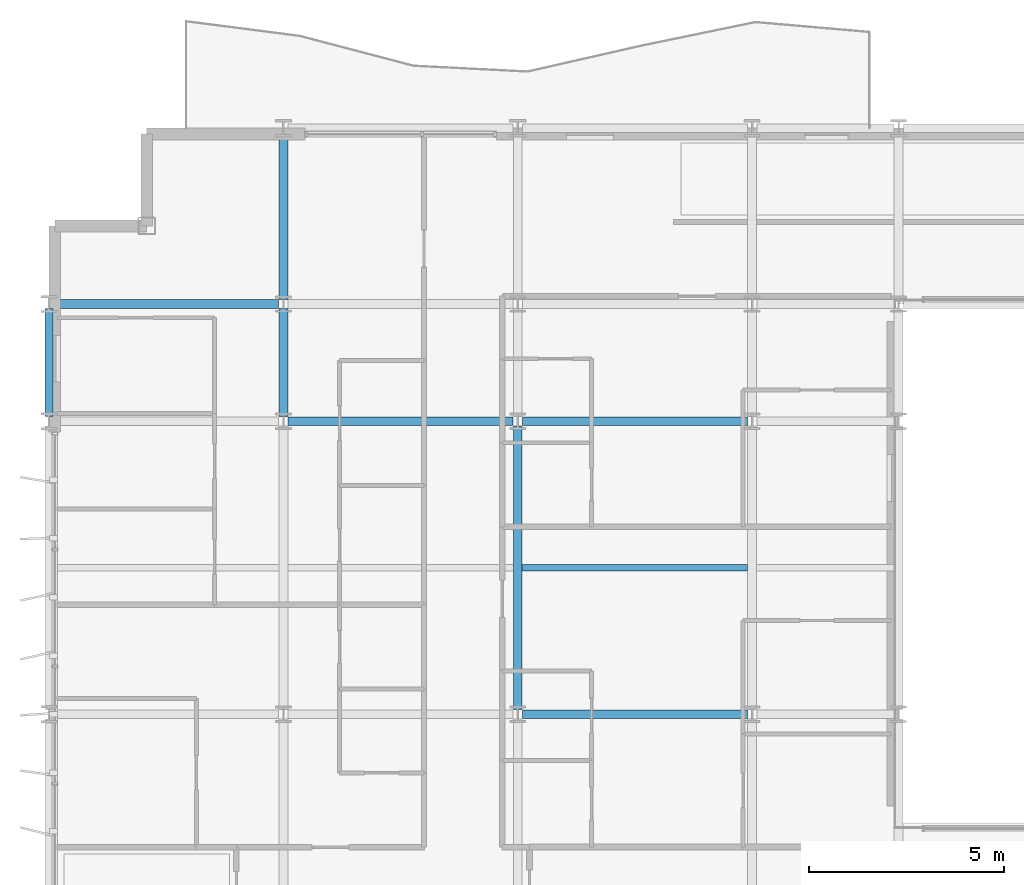
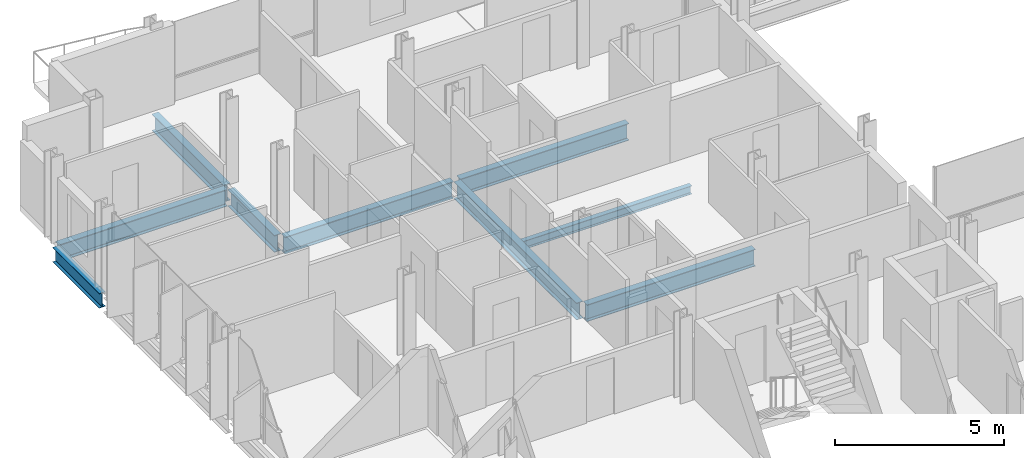
# One storey, part 6 of 38: 9 beams.
"""IFC4 building model written with IfcOpenShell, lengths in metres."""

from ifc_helpers import new_model, si_unit, direction, frame, origin, origin_2d, place, context, subcontext, project, spatial, i_section, extrude, material, material_profile, profile_set, type_object, element, save


model = new_model("IFC4")

# Units and contexts
model_context = context("Model", 3, precision=1e-05, world=origin(), true_north=direction((0.0, 1.0)))
body_context = subcontext(model_context, "Body", "Model", "MODEL_VIEW")
ifc_project = project(units=[si_unit("LENGTHUNIT", "METRE"), si_unit("AREAUNIT", "SQUARE_METRE"), si_unit("VOLUMEUNIT", "CUBIC_METRE"), si_unit("PLANEANGLEUNIT", "RADIAN"), si_unit("MASSUNIT", "GRAM", prefix="KILO")], contexts=[model_context])

# Site, building, storey
site_placement = place(None, origin())
site = spatial("IfcSite", under=ifc_project, at=site_placement, CompositionType="ELEMENT")
building_placement = place(site_placement, origin())
building = spatial("IfcBuilding", under=site, at=building_placement, Name="Brevholm Reach", CompositionType="ELEMENT")
storey_placement = place(building_placement, frame((0.0, 0.0, 128.300048828125)))
storey = spatial("IfcBuildingStorey", under=building, at=storey_placement, Name="L38", CompositionType="ELEMENT", Elevation=128.300048828125)

# Beams
ifc_material_1 = material(Name="Structural Steel S355J2", Category="steel")
ifc_material_profile_1 = material_profile(ifc_material_1, i_section(OverallWidth=0.1650390625, OverallDepth=0.303466796875, WebThickness=0.006103515625, FlangeThickness=0.01025390625, FilletRadius=0.0087890625, at=origin_2d()), Name="UKB 305x165x40")
ifc_profile_set_1 = profile_set([ifc_material_profile_1], Name="Structural Steel S355J2")
beam_type_1 = type_object("IfcBeamType", Name="BM-B305", PredefinedType="BEAM", material=ifc_profile_set_1)
beam_1_placement = place(storey_placement, frame((12.114501953125, 19.75, -0.371826171875), z_axis=(1.0, 0.0, 0.0), x_axis=(0.0, 1.0, 0.0)))
element("IfcBeam", 1, at=beam_1_placement, inside=storey, type_object=beam_type_1, Name="L38 Composite Secondary Floor Beam", PredefinedType="BEAM", context=body_context, shape_type="SweptSolid", body=[
    extrude(i_section(OverallWidth=0.1650390625, OverallDepth=0.303466796875, WebThickness=0.006103515625, FlangeThickness=0.01025390625, FilletRadius=0.0087890625, at=origin_2d()), origin(), (0.0, 0.0, 1.0), 5.77099609375),
])
ifc_material_2 = material(Name="Structural Steel S355J2", Category="steel")
ifc_material_profile_2 = material_profile(ifc_material_2, i_section(OverallWidth=0.209228515625, OverallDepth=0.533203125, WebThickness=0.010009765625, FlangeThickness=0.015625, FilletRadius=0.0126953125, at=origin_2d()), Name="UKB 533x210x92")
ifc_profile_set_2 = profile_set([ifc_material_profile_2], Name="Structural Steel S355J2")
beam_type_2 = type_object("IfcBeamType", Name="BM-SP533", PredefinedType="SPANDREL", material=ifc_profile_set_2)
beam_2_placement = place(storey_placement, frame((0.0, 23.6201171875, -0.486572265625), z_axis=(0.0, 1.0, 0.0), x_axis=(-1.0, 0.0, 0.0)))
element("IfcBeam", 2, at=beam_2_placement, inside=storey, type_object=beam_type_2, Name="L38 SP-02 Framing Beam", PredefinedType="SPANDREL", context=body_context, shape_type="SweptSolid", body=[
    extrude(i_section(OverallWidth=0.209228515625, OverallDepth=0.533203125, WebThickness=0.010009765625, FlangeThickness=0.015625, FilletRadius=0.0126953125, at=origin_2d()), origin(), (0.0, 0.0, 1.0), 2.759765625),
])
ifc_material_3 = material(Name="Structural Steel S355J2", Category="steel")
ifc_material_profile_3 = material_profile(ifc_material_3, i_section(OverallWidth=0.22900390625, OverallDepth=0.6123046875, WebThickness=0.011962890625, FlangeThickness=0.01953125, FilletRadius=0.0126953125, at=origin_2d()), Name="UKB 610x229x125")
ifc_profile_set_3 = profile_set([ifc_material_profile_3], Name="Structural Steel S355J2")
beam_type_3 = type_object("IfcBeamType", Name="BM-SP610", PredefinedType="SPANDREL", material=ifc_profile_set_3)
for number, where, z_axis, x_axis, name in (
    (3, (12.1201171875, 16.0, -0.526123046875), (1.0, 0.0, 0.0), (0.0, 1.0, 0.0), "L38 SP-01 Framing Beam"),
    (4, (6.1201171875, 23.5, -0.526123046875), (1.0, 0.0, 0.0), (0.0, 1.0, 0.0), "L38 SP-01 Framing Beam"),
    (5, (12.1201171875, 23.5, -0.526123046875), (1.0, 0.0, 0.0), (0.0, 1.0, 0.0), "L38 SP-01 Framing Beam"),
    (6, (0.1201171875, 26.5, -0.526123046875), (1.0, 0.0, 0.0), (0.0, 1.0, 0.0), "L38 SP-01 Framing Beam"),
):
    element("IfcBeam", number, at=place(storey_placement, frame(where, z_axis=z_axis, x_axis=x_axis)), inside=storey, type_object=beam_type_3, Name=name, PredefinedType="SPANDREL", context=body_context, shape_type="SweptSolid", body=[
        extrude(i_section(OverallWidth=0.22900390625, OverallDepth=0.6123046875, WebThickness=0.011962890625, FlangeThickness=0.01953125, FilletRadius=0.0126953125, at=origin_2d()), origin(), (0.0, 0.0, 1.0), 5.759765625),
    ])
beam_3_placement = place(storey_placement, frame((6.0, 23.6201171875, -0.526123046875), z_axis=(0.0, 1.0, 0.0), x_axis=(-1.0, 0.0, 0.0)))
element("IfcBeam", 7, at=beam_3_placement, inside=storey, type_object=beam_type_3, Name="L38 SP-01 Framing Beam", PredefinedType="SPANDREL", context=body_context, shape_type="SweptSolid", body=[
    extrude(i_section(OverallWidth=0.22900390625, OverallDepth=0.6123046875, WebThickness=0.011962890625, FlangeThickness=0.01953125, FilletRadius=0.0126953125, at=origin_2d()), origin(), (0.0, 0.0, 1.0), 2.759765625),
])
beam_4_placement = place(storey_placement, frame((6.0, 26.6201171875, -0.526123046875), z_axis=(0.0, 1.0, 0.0), x_axis=(-1.0, 0.0, 0.0)))
element("IfcBeam", 8, at=beam_4_placement, inside=storey, type_object=beam_type_3, Name="L38 SP-01 Framing Beam", PredefinedType="SPANDREL", context=body_context, shape_type="SweptSolid", body=[
    extrude(i_section(OverallWidth=0.22900390625, OverallDepth=0.6123046875, WebThickness=0.011962890625, FlangeThickness=0.01953125, FilletRadius=0.0126953125, at=origin_2d()), origin(), (0.0, 0.0, 1.0), 4.259765625),
])
beam_5_placement = place(storey_placement, frame((12.0, 16.1201171875, -0.526123046875), z_axis=(0.0, 1.0, 0.0), x_axis=(-1.0, 0.0, 0.0)))
element("IfcBeam", 9, at=beam_5_placement, inside=storey, type_object=beam_type_3, Name="L38 SP-01 Framing Beam", PredefinedType="SPANDREL", context=body_context, shape_type="SweptSolid", body=[
    extrude(i_section(OverallWidth=0.22900390625, OverallDepth=0.6123046875, WebThickness=0.011962890625, FlangeThickness=0.01953125, FilletRadius=0.0126953125, at=origin_2d()), origin(), (0.0, 0.0, 1.0), 7.259765625),
])

save(model, "model.ifc")
